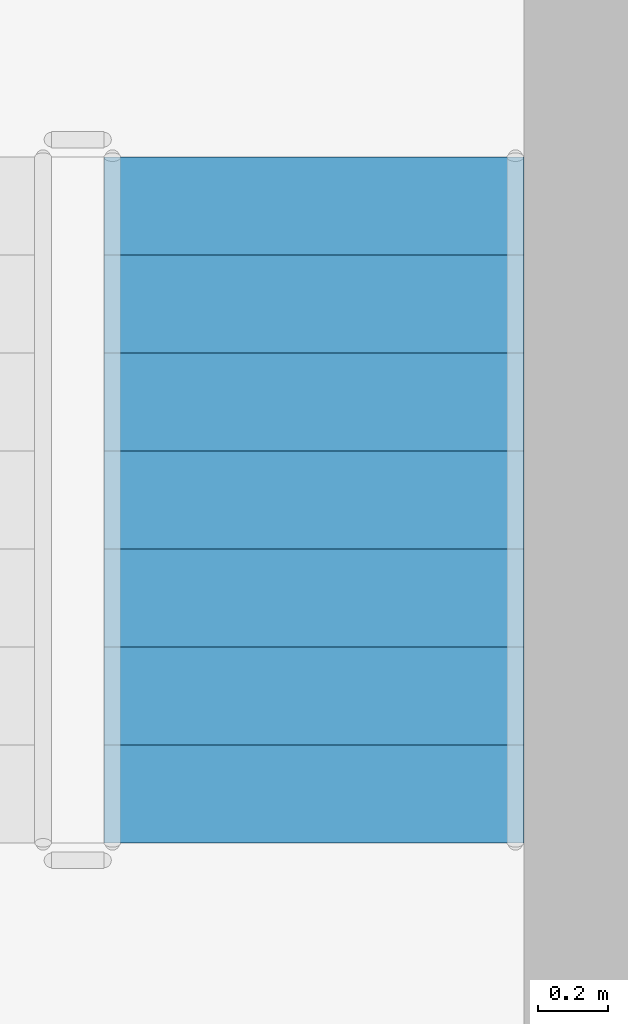
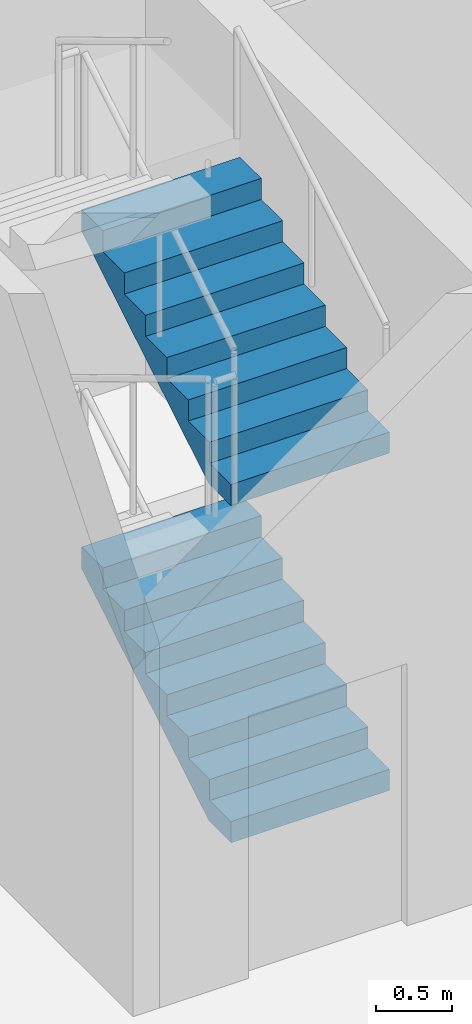
# One storey, part 70 of 101: 2 stair flights, 1 element without a shape of its own.
"""IFC4 building model written with IfcOpenShell, lengths in metres."""

from ifc_helpers import new_model, si_unit, direction, frame, origin, place, context, subcontext, project, spatial, triangles, material, type_object, element, aggregate, save


model = new_model("IFC4")

# Units and contexts
model_context = context("Model", 3, precision=1e-05, world=origin(), true_north=direction((0.0, 1.0)))
body_context = subcontext(model_context, "Body", "Model", "MODEL_VIEW")
ifc_project = project(units=[si_unit("LENGTHUNIT", "METRE"), si_unit("AREAUNIT", "SQUARE_METRE"), si_unit("VOLUMEUNIT", "CUBIC_METRE"), si_unit("PLANEANGLEUNIT", "RADIAN"), si_unit("MASSUNIT", "GRAM", prefix="KILO")], contexts=[model_context])

# Site, building, storey
site_placement = place(None, origin())
site = spatial("IfcSite", under=ifc_project, at=site_placement, CompositionType="ELEMENT")
building_placement = place(site_placement, origin())
building = spatial("IfcBuilding", under=site, at=building_placement, Name="Magnolia Steps Interchange", CompositionType="ELEMENT")
storey_placement = place(building_placement, frame((0.0, 0.0, -5.39990234375)))
storey = spatial("IfcBuildingStorey", under=building, at=storey_placement, Name="B1", CompositionType="ELEMENT", Elevation=-5.39990234375)

# Stair, stair flights
ifc_material_1 = material(Name="Concrete C40", Category="concrete")
stair_type = type_object("IfcStairType", Name="Exit stair 1200", PredefinedType="HALF_TURN_STAIR", material=ifc_material_1)
stair_placement = place(storey_placement, origin())
stair = element("IfcStair", 1, at=stair_placement, inside=storey, type_object=stair_type, Name="B1 Stair 24", PredefinedType="HALF_TURN_STAIR")
ifc_material_2 = material(Name="Concrete C40", Category="concrete")
stair_flight_type = type_object("IfcStairFlightType", Name="Exit stair flight", PredefinedType="STRAIGHT", material=ifc_material_2)
stair_flight_1_placement = place(storey_placement, frame((181.699951171875, 38.699951171875, 0.0), z_axis=(0.0, 0.0, 1.0), x_axis=(0.0, 1.0, 0.0)))
stair_flight_1 = element("IfcStairFlight", 2, at=stair_flight_1_placement, type_object=stair_flight_type, Name="Stair 24 flight 1", NumberOfRisers=8, NumberOfTreads=7, PredefinedType="STRAIGHT", RiserHeight=0.16875, TreadLength=0.28, context=body_context, shape_type="Tessellation", body=[
    triangles([(0.0, -0.5999755859375, 0.0), (0.29052734375, -0.5999755859375, 0.0), (1.9599609375, -0.5999755859375, 1.00634765625), (1.9599609375, -0.5999755859375, 1.18115234375), (1.679931640625, -0.5999755859375, 1.18115234375), (1.679931640625, -0.5999755859375, 1.012451171875), (1.39990234375, -0.5999755859375, 1.012451171875), (1.39990234375, -0.5999755859375, 0.84375), (1.1201171875, -0.5999755859375, 0.84375), (1.1201171875, -0.5999755859375, 0.675048828125), (0.840087890625, -0.5999755859375, 0.675048828125), (0.840087890625, -0.5999755859375, 0.50634765625), (0.56005859375, -0.5999755859375, 0.50634765625), (0.56005859375, -0.5999755859375, 0.33740234375), (0.280029296875, -0.5999755859375, 0.33740234375), (0.280029296875, -0.5999755859375, 0.168701171875), (0.0, -0.5999755859375, 0.168701171875), (0.0, 0.5999755859375, 0.0), (0.29052734375, 0.5999755859375, 0.0), (1.9599609375, 0.5999755859375, 1.00634765625), (1.9599609375, 0.5999755859375, 1.18115234375), (1.679931640625, 0.5999755859375, 1.18115234375), (1.679931640625, 0.5999755859375, 1.012451171875), (1.39990234375, 0.5999755859375, 1.012451171875), (1.39990234375, 0.5999755859375, 0.84375), (1.1201171875, 0.5999755859375, 0.84375), (1.1201171875, 0.5999755859375, 0.675048828125), (0.840087890625, 0.5999755859375, 0.675048828125), (0.840087890625, 0.5999755859375, 0.50634765625), (0.56005859375, 0.5999755859375, 0.50634765625), (0.56005859375, 0.5999755859375, 0.33740234375), (0.280029296875, 0.5999755859375, 0.33740234375), (0.280029296875, 0.5999755859375, 0.168701171875), (0.0, 0.5999755859375, 0.168701171875), (0.0, 0.0, 0.0), (0.0, 0.0, 0.04217529296875), (0.0, 0.0, 0.0843505859375), (0.0, 0.0, 0.12652587890625), (0.0, 0.0, 0.168701171875), (0.0, -0.05, 0.0), (0.0, -0.05, 0.168701171875), (0.0, 0.05, 0.0), (0.0, 0.05, 0.168701171875), (0.046671549479166664, 0.0, 0.168701171875), (0.09334309895833333, 0.0, 0.168701171875), (0.1400146484375, 0.0, 0.168701171875), (0.18668619791666666, 0.0, 0.168701171875), (0.23335774739583334, 0.0, 0.168701171875), (0.280029296875, 0.0, 0.168701171875), (0.280029296875, -0.05, 0.168701171875), (0.280029296875, 0.05, 0.168701171875), (0.280029296875, 0.0, 0.21087646484375), (0.280029296875, 0.0, 0.2530517578125), (0.280029296875, 0.0, 0.29522705078125), (0.280029296875, 0.0, 0.33740234375), (0.280029296875, -0.05, 0.33740234375), (0.280029296875, 0.05, 0.33740234375), (0.3267008463541667, 0.0, 0.33740234375), (0.3733723958333333, 0.0, 0.33740234375), (0.4200439453125, 0.0, 0.33740234375), (0.46671549479166663, 0.0, 0.33740234375), (0.5133870442708334, 0.0, 0.33740234375), (0.56005859375, 0.0, 0.33740234375), (0.56005859375, -0.05, 0.33740234375), (0.56005859375, 0.05, 0.33740234375), (0.56005859375, 0.0, 0.379638671875), (0.56005859375, 0.0, 0.421875), (0.56005859375, 0.0, 0.464111328125), (0.56005859375, 0.0, 0.50634765625), (0.56005859375, -0.05, 0.50634765625), (0.56005859375, 0.05, 0.50634765625), (0.6067301432291666, 0.0, 0.50634765625), (0.6534016927083334, 0.0, 0.50634765625), (0.7000732421875, 0.0, 0.50634765625), (0.7467447916666666, 0.0, 0.50634765625), (0.7934163411458334, 0.0, 0.50634765625), (0.840087890625, 0.0, 0.50634765625), (0.840087890625, -0.05, 0.50634765625), (0.840087890625, 0.05, 0.50634765625), (0.840087890625, 0.0, 0.54852294921875), (0.840087890625, 0.0, 0.5906982421875), (0.840087890625, 0.0, 0.63287353515625), (0.840087890625, 0.0, 0.675048828125), (0.840087890625, -0.05, 0.675048828125), (0.840087890625, 0.05, 0.675048828125), (0.8867594401041666, 0.0, 0.675048828125), (0.9334309895833334, 0.0, 0.675048828125), (0.9801025390625, 0.0, 0.675048828125), (1.0267740885416667, 0.0, 0.675048828125), (1.0734456380208333, 0.0, 0.675048828125), (1.1201171875, 0.0, 0.675048828125), (1.1201171875, -0.05, 0.675048828125), (1.1201171875, 0.05, 0.675048828125), (1.1201171875, 0.0, 0.71722412109375), (1.1201171875, 0.0, 0.7593994140625), (1.1201171875, 0.0, 0.80157470703125), (1.1201171875, 0.0, 0.84375), (1.1201171875, -0.05, 0.84375), (1.1201171875, 0.05, 0.84375), (1.1900634765625, 0.0, 0.84375), (1.260009765625, 0.0, 0.84375), (1.3299560546875, 0.0, 0.84375), (1.39990234375, 0.0, 0.84375), (1.39990234375, -0.05, 0.84375), (1.39990234375, 0.05, 0.84375), (1.39990234375, 0.0, 0.88592529296875), (1.39990234375, 0.0, 0.9281005859375), (1.39990234375, 0.0, 0.97027587890625), (1.39990234375, 0.0, 1.012451171875), (1.39990234375, -0.05, 1.012451171875), (1.39990234375, 0.05, 1.012451171875), (1.4465738932291667, 0.0, 1.012451171875), (1.4932454427083333, 0.0, 1.012451171875), (1.5399169921875, 0.0, 1.012451171875), (1.5865885416666667, 0.0, 1.012451171875), (1.6332600911458333, 0.0, 1.012451171875), (1.679931640625, 0.0, 1.012451171875), (1.679931640625, -0.05, 1.012451171875), (1.679931640625, 0.05, 1.012451171875), (1.679931640625, 0.0, 1.05462646484375), (1.679931640625, 0.0, 1.0968017578125), (1.679931640625, 0.0, 1.13897705078125), (1.679931640625, 0.0, 1.18115234375), (1.679931640625, -0.05, 1.18115234375), (1.679931640625, 0.05, 1.18115234375), (1.7266031901041667, 0.0, 1.18115234375), (1.7732747395833333, 0.0, 1.18115234375), (1.8199462890625, 0.0, 1.18115234375), (1.8666178385416667, 0.0, 1.18115234375), (1.9132893880208333, 0.0, 1.18115234375), (1.9599609375, 0.0, 1.18115234375), (1.9599609375, -0.05, 1.18115234375), (1.9599609375, 0.05, 1.18115234375), (1.9599609375, 0.0, 1.137451171875), (1.9599609375, 0.0, 1.09375), (1.9599609375, 0.0, 1.050048828125), (1.9599609375, 0.0, 1.00634765625), (1.9599609375, -0.05, 1.00634765625), (1.9599609375, 0.05, 1.00634765625), (1.9003383091517858, 0.0, 0.9704066685267857), (1.8407156808035714, 0.0, 0.9344656808035714), (1.7810930524553572, 0.0, 0.8985246930803571), (1.7214704241071428, 0.0, 0.8625837053571428), (1.6618477957589286, 0.0, 0.8266427176339286), (1.6022251674107144, 0.0, 0.7907017299107143), (1.5426025390625, 0.0, 0.7547607421875), (1.4829799107142856, 0.0, 0.7188197544642857), (1.4233572823660714, 0.0, 0.6828787667410714), (1.3637346540178572, 0.0, 0.6469377790178572), (1.3041120256696428, 0.0, 0.6109967912946428), (1.2444893973214286, 0.0, 0.5750558035714286), (1.1848667689732144, 0.0, 0.5391148158482143), (1.125244140625, 0.0, 0.503173828125), (1.0656215122767856, 0.0, 0.4672328404017857), (1.0059988839285714, 0.0, 0.4312918526785714), (0.9463762555803572, 0.0, 0.3953508649553571), (0.8867536272321428, 0.0, 0.3594098772321429), (0.8271309988839286, 0.0, 0.3234688895089286), (0.7675083705357142, 0.0, 0.2875279017857143), (0.7078857421875, 0.0, 0.2515869140625), (0.6482631138392858, 0.0, 0.2156459263392857), (0.5886404854910714, 0.0, 0.1797049386160714), (0.5290178571428572, 0.0, 0.1437639508928571), (0.4693952287946428, 0.0, 0.1078229631696429), (0.4097726004464286, 0.0, 0.0718819754464286), (0.3501499720982142, 0.0, 0.0359409877232143), (0.29052734375, 0.0, 0.0), (0.29052734375, -0.05, 0.0), (0.29052734375, 0.05, 0.0), (0.24210611979166666, 0.0, 0.0), (0.19368489583333331, 0.0, 0.0), (0.145263671875, 0.0, 0.0), (0.09684244791666666, 0.0, 0.0), (0.04842122395833334, 0.0, 0.0)], [[1, 2, 3], [3, 4, 5], [3, 5, 6], [3, 6, 7], [3, 7, 8], [8, 9, 10], [3, 8, 10], [10, 11, 12], [3, 10, 12], [12, 13, 14], [3, 12, 14], [14, 15, 16], [3, 14, 16], [1, 3, 16], [16, 17, 1], [18, 20, 19], [20, 22, 21], [20, 23, 22], [20, 24, 23], [20, 25, 24], [25, 27, 26], [20, 27, 25], [27, 29, 28], [20, 29, 27], [29, 31, 30], [20, 31, 29], [31, 33, 32], [20, 33, 31], [18, 33, 20], [33, 18, 34], [1, 17, 41], [1, 41, 40], [40, 36, 35], [40, 37, 36], [40, 41, 37], [41, 38, 37], [41, 39, 38], [18, 43, 34], [18, 42, 43], [42, 35, 36], [42, 36, 37], [42, 37, 43], [43, 37, 38], [43, 38, 39], [17, 16, 50], [17, 50, 41], [41, 44, 39], [41, 45, 44], [41, 46, 45], [41, 50, 46], [50, 47, 46], [50, 48, 47], [50, 49, 48], [34, 51, 33], [34, 43, 51], [43, 39, 44], [43, 44, 45], [43, 45, 46], [43, 46, 51], [51, 46, 47], [51, 47, 48], [51, 48, 49], [16, 15, 56], [16, 56, 50], [50, 52, 49], [50, 53, 52], [50, 56, 53], [56, 54, 53], [56, 55, 54], [33, 57, 32], [33, 51, 57], [51, 49, 52], [51, 52, 53], [51, 53, 57], [57, 53, 54], [57, 54, 55], [15, 14, 64], [15, 64, 56], [56, 58, 55], [56, 59, 58], [56, 60, 59], [56, 64, 60], [64, 61, 60], [64, 62, 61], [64, 63, 62], [32, 65, 31], [32, 57, 65], [57, 55, 58], [57, 58, 59], [57, 59, 60], [57, 60, 65], [65, 60, 61], [65, 61, 62], [65, 62, 63], [14, 13, 70], [14, 70, 64], [64, 66, 63], [64, 67, 66], [64, 70, 67], [70, 68, 67], [70, 69, 68], [31, 71, 30], [31, 65, 71], [65, 63, 66], [65, 66, 67], [65, 67, 71], [71, 67, 68], [71, 68, 69], [13, 12, 78], [13, 78, 70], [70, 72, 69], [70, 73, 72], [70, 74, 73], [70, 78, 74], [78, 75, 74], [78, 76, 75], [78, 77, 76], [30, 79, 29], [30, 71, 79], [71, 69, 72], [71, 72, 73], [71, 73, 74], [71, 74, 79], [79, 74, 75], [79, 75, 76], [79, 76, 77], [12, 11, 84], [12, 84, 78], [78, 80, 77], [78, 81, 80], [78, 84, 81], [84, 82, 81], [84, 83, 82], [29, 85, 28], [29, 79, 85], [79, 77, 80], [79, 80, 81], [79, 81, 85], [85, 81, 82], [85, 82, 83], [11, 10, 92], [11, 92, 84], [84, 86, 83], [84, 87, 86], [84, 88, 87], [84, 92, 88], [92, 89, 88], [92, 90, 89], [92, 91, 90], [28, 93, 27], [28, 85, 93], [85, 83, 86], [85, 86, 87], [85, 87, 88], [85, 88, 93], [93, 88, 89], [93, 89, 90], [93, 90, 91], [10, 9, 98], [10, 98, 92], [92, 94, 91], [92, 95, 94], [92, 98, 95], [98, 96, 95], [98, 97, 96], [27, 99, 26], [27, 93, 99], [93, 91, 94], [93, 94, 95], [93, 95, 99], [99, 95, 96], [99, 96, 97], [9, 8, 104], [9, 104, 98], [98, 100, 97], [98, 101, 100], [98, 104, 101], [104, 102, 101], [104, 103, 102], [26, 105, 25], [26, 99, 105], [99, 97, 100], [99, 100, 101], [99, 101, 105], [105, 101, 102], [105, 102, 103], [8, 7, 110], [8, 110, 104], [104, 106, 103], [104, 107, 106], [104, 110, 107], [110, 108, 107], [110, 109, 108], [25, 111, 24], [25, 105, 111], [105, 103, 106], [105, 106, 107], [105, 107, 111], [111, 107, 108], [111, 108, 109], [7, 6, 118], [7, 118, 110], [110, 112, 109], [110, 113, 112], [110, 114, 113], [110, 118, 114], [118, 115, 114], [118, 116, 115], [118, 117, 116], [24, 119, 23], [24, 111, 119], [111, 109, 112], [111, 112, 113], [111, 113, 114], [111, 114, 119], [119, 114, 115], [119, 115, 116], [119, 116, 117], [6, 5, 124], [6, 124, 118], [118, 120, 117], [118, 121, 120], [118, 124, 121], [124, 122, 121], [124, 123, 122], [23, 125, 22], [23, 119, 125], [119, 117, 120], [119, 120, 121], [119, 121, 125], [125, 121, 122], [125, 122, 123], [5, 4, 132], [5, 132, 124], [124, 126, 123], [124, 127, 126], [124, 128, 127], [124, 132, 128], [132, 129, 128], [132, 130, 129], [132, 131, 130], [22, 133, 21], [22, 125, 133], [125, 123, 126], [125, 126, 127], [125, 127, 128], [125, 128, 133], [133, 128, 129], [133, 129, 130], [133, 130, 131], [4, 3, 138], [4, 138, 132], [132, 134, 131], [132, 135, 134], [132, 138, 135], [138, 136, 135], [138, 137, 136], [21, 139, 20], [21, 133, 139], [133, 131, 134], [133, 134, 135], [133, 135, 139], [139, 135, 136], [139, 136, 137], [3, 2, 168], [3, 168, 138], [138, 140, 137], [138, 141, 140], [138, 142, 141], [138, 143, 142], [138, 144, 143], [138, 145, 144], [138, 146, 145], [138, 147, 146], [138, 148, 147], [138, 149, 148], [138, 150, 149], [138, 151, 150], [138, 152, 151], [138, 153, 152], [138, 168, 153], [168, 154, 153], [168, 155, 154], [168, 156, 155], [168, 157, 156], [168, 158, 157], [168, 159, 158], [168, 160, 159], [168, 161, 160], [168, 162, 161], [168, 163, 162], [168, 164, 163], [168, 165, 164], [168, 166, 165], [168, 167, 166], [20, 169, 19], [20, 139, 169], [139, 137, 140], [139, 140, 141], [139, 141, 142], [139, 142, 143], [139, 143, 144], [139, 144, 145], [139, 145, 146], [139, 146, 147], [139, 147, 148], [139, 148, 149], [139, 149, 150], [139, 150, 151], [139, 151, 152], [139, 152, 153], [139, 153, 169], [169, 153, 154], [169, 154, 155], [169, 155, 156], [169, 156, 157], [169, 157, 158], [169, 158, 159], [169, 159, 160], [169, 160, 161], [169, 161, 162], [169, 162, 163], [169, 163, 164], [169, 164, 165], [169, 165, 166], [169, 166, 167], [2, 1, 40], [2, 40, 168], [168, 170, 167], [168, 171, 170], [168, 172, 171], [168, 40, 172], [40, 173, 172], [40, 174, 173], [40, 35, 174], [19, 42, 18], [19, 169, 42], [169, 167, 170], [169, 170, 171], [169, 171, 172], [169, 172, 42], [42, 172, 173], [42, 173, 174], [42, 174, 35]], closed=True),
])
stair_flight_2_placement = place(storey_placement, frame((181.699951171875, 38.699951171875, 2.699951171875), z_axis=(0.0, 0.0, 1.0), x_axis=(0.0, 1.0, 0.0)))
stair_flight_2 = element("IfcStairFlight", 3, at=stair_flight_2_placement, type_object=stair_flight_type, Name="Stair 24 flight 3", NumberOfRisers=8, NumberOfTreads=7, PredefinedType="STRAIGHT", RiserHeight=0.16875, TreadLength=0.28, context=body_context, shape_type="Tessellation", body=[
    triangles([(0.0, -0.5999755859375, 0.0), (0.29052734375, -0.5999755859375, 0.0), (1.9599609375, -0.5999755859375, 1.00634765625), (1.9599609375, -0.5999755859375, 1.18115234375), (1.679931640625, -0.5999755859375, 1.18115234375), (1.679931640625, -0.5999755859375, 1.012451171875), (1.39990234375, -0.5999755859375, 1.012451171875), (1.39990234375, -0.5999755859375, 0.84375), (1.1201171875, -0.5999755859375, 0.84375), (1.1201171875, -0.5999755859375, 0.675048828125), (0.840087890625, -0.5999755859375, 0.675048828125), (0.840087890625, -0.5999755859375, 0.50634765625), (0.56005859375, -0.5999755859375, 0.50634765625), (0.56005859375, -0.5999755859375, 0.33740234375), (0.280029296875, -0.5999755859375, 0.33740234375), (0.280029296875, -0.5999755859375, 0.168701171875), (0.0, -0.5999755859375, 0.168701171875), (0.0, 0.5999755859375, 0.0), (0.29052734375, 0.5999755859375, 0.0), (1.9599609375, 0.5999755859375, 1.00634765625), (1.9599609375, 0.5999755859375, 1.18115234375), (1.679931640625, 0.5999755859375, 1.18115234375), (1.679931640625, 0.5999755859375, 1.012451171875), (1.39990234375, 0.5999755859375, 1.012451171875), (1.39990234375, 0.5999755859375, 0.84375), (1.1201171875, 0.5999755859375, 0.84375), (1.1201171875, 0.5999755859375, 0.675048828125), (0.840087890625, 0.5999755859375, 0.675048828125), (0.840087890625, 0.5999755859375, 0.50634765625), (0.56005859375, 0.5999755859375, 0.50634765625), (0.56005859375, 0.5999755859375, 0.33740234375), (0.280029296875, 0.5999755859375, 0.33740234375), (0.280029296875, 0.5999755859375, 0.168701171875), (0.0, 0.5999755859375, 0.168701171875), (0.0, 0.0, 0.0), (0.0, 0.0, 0.04217529296875), (0.0, 0.0, 0.0843505859375), (0.0, 0.0, 0.12652587890625), (0.0, 0.0, 0.168701171875), (0.0, -0.05, 0.0), (0.0, -0.05, 0.168701171875), (0.0, 0.05, 0.0), (0.0, 0.05, 0.168701171875), (0.046671549479166664, 0.0, 0.168701171875), (0.09334309895833333, 0.0, 0.168701171875), (0.1400146484375, 0.0, 0.168701171875), (0.18668619791666666, 0.0, 0.168701171875), (0.23335774739583334, 0.0, 0.168701171875), (0.280029296875, 0.0, 0.168701171875), (0.280029296875, -0.05, 0.168701171875), (0.280029296875, 0.05, 0.168701171875), (0.280029296875, 0.0, 0.21087646484375), (0.280029296875, 0.0, 0.2530517578125), (0.280029296875, 0.0, 0.29522705078125), (0.280029296875, 0.0, 0.33740234375), (0.280029296875, -0.05, 0.33740234375), (0.280029296875, 0.05, 0.33740234375), (0.3267008463541667, 0.0, 0.33740234375), (0.3733723958333333, 0.0, 0.33740234375), (0.4200439453125, 0.0, 0.33740234375), (0.46671549479166663, 0.0, 0.33740234375), (0.5133870442708334, 0.0, 0.33740234375), (0.56005859375, 0.0, 0.33740234375), (0.56005859375, -0.05, 0.33740234375), (0.56005859375, 0.05, 0.33740234375), (0.56005859375, 0.0, 0.379638671875), (0.56005859375, 0.0, 0.421875), (0.56005859375, 0.0, 0.464111328125), (0.56005859375, 0.0, 0.50634765625), (0.56005859375, -0.05, 0.50634765625), (0.56005859375, 0.05, 0.50634765625), (0.6067301432291666, 0.0, 0.50634765625), (0.6534016927083334, 0.0, 0.50634765625), (0.7000732421875, 0.0, 0.50634765625), (0.7467447916666666, 0.0, 0.50634765625), (0.7934163411458334, 0.0, 0.50634765625), (0.840087890625, 0.0, 0.50634765625), (0.840087890625, -0.05, 0.50634765625), (0.840087890625, 0.05, 0.50634765625), (0.840087890625, 0.0, 0.54852294921875), (0.840087890625, 0.0, 0.5906982421875), (0.840087890625, 0.0, 0.63287353515625), (0.840087890625, 0.0, 0.675048828125), (0.840087890625, -0.05, 0.675048828125), (0.840087890625, 0.05, 0.675048828125), (0.8867594401041666, 0.0, 0.675048828125), (0.9334309895833334, 0.0, 0.675048828125), (0.9801025390625, 0.0, 0.675048828125), (1.0267740885416667, 0.0, 0.675048828125), (1.0734456380208333, 0.0, 0.675048828125), (1.1201171875, 0.0, 0.675048828125), (1.1201171875, -0.05, 0.675048828125), (1.1201171875, 0.05, 0.675048828125), (1.1201171875, 0.0, 0.71722412109375), (1.1201171875, 0.0, 0.7593994140625), (1.1201171875, 0.0, 0.80157470703125), (1.1201171875, 0.0, 0.84375), (1.1201171875, -0.05, 0.84375), (1.1201171875, 0.05, 0.84375), (1.1900634765625, 0.0, 0.84375), (1.260009765625, 0.0, 0.84375), (1.3299560546875, 0.0, 0.84375), (1.39990234375, 0.0, 0.84375), (1.39990234375, -0.05, 0.84375), (1.39990234375, 0.05, 0.84375), (1.39990234375, 0.0, 0.88592529296875), (1.39990234375, 0.0, 0.9281005859375), (1.39990234375, 0.0, 0.97027587890625), (1.39990234375, 0.0, 1.012451171875), (1.39990234375, -0.05, 1.012451171875), (1.39990234375, 0.05, 1.012451171875), (1.4465738932291667, 0.0, 1.012451171875), (1.4932454427083333, 0.0, 1.012451171875), (1.5399169921875, 0.0, 1.012451171875), (1.5865885416666667, 0.0, 1.012451171875), (1.6332600911458333, 0.0, 1.012451171875), (1.679931640625, 0.0, 1.012451171875), (1.679931640625, -0.05, 1.012451171875), (1.679931640625, 0.05, 1.012451171875), (1.679931640625, 0.0, 1.05462646484375), (1.679931640625, 0.0, 1.0968017578125), (1.679931640625, 0.0, 1.13897705078125), (1.679931640625, 0.0, 1.18115234375), (1.679931640625, -0.05, 1.18115234375), (1.679931640625, 0.05, 1.18115234375), (1.7266031901041667, 0.0, 1.18115234375), (1.7732747395833333, 0.0, 1.18115234375), (1.8199462890625, 0.0, 1.18115234375), (1.8666178385416667, 0.0, 1.18115234375), (1.9132893880208333, 0.0, 1.18115234375), (1.9599609375, 0.0, 1.18115234375), (1.9599609375, -0.05, 1.18115234375), (1.9599609375, 0.05, 1.18115234375), (1.9599609375, 0.0, 1.137451171875), (1.9599609375, 0.0, 1.09375), (1.9599609375, 0.0, 1.050048828125), (1.9599609375, 0.0, 1.00634765625), (1.9599609375, -0.05, 1.00634765625), (1.9599609375, 0.05, 1.00634765625), (1.9003383091517858, 0.0, 0.9704066685267857), (1.8407156808035714, 0.0, 0.9344656808035714), (1.7810930524553572, 0.0, 0.8985246930803571), (1.7214704241071428, 0.0, 0.8625837053571428), (1.6618477957589286, 0.0, 0.8266427176339286), (1.6022251674107144, 0.0, 0.7907017299107143), (1.5426025390625, 0.0, 0.7547607421875), (1.4829799107142856, 0.0, 0.7188197544642857), (1.4233572823660714, 0.0, 0.6828787667410714), (1.3637346540178572, 0.0, 0.6469377790178572), (1.3041120256696428, 0.0, 0.6109967912946428), (1.2444893973214286, 0.0, 0.5750558035714286), (1.1848667689732144, 0.0, 0.5391148158482143), (1.125244140625, 0.0, 0.503173828125), (1.0656215122767856, 0.0, 0.4672328404017857), (1.0059988839285714, 0.0, 0.4312918526785714), (0.9463762555803572, 0.0, 0.3953508649553571), (0.8867536272321428, 0.0, 0.3594098772321429), (0.8271309988839286, 0.0, 0.3234688895089286), (0.7675083705357142, 0.0, 0.2875279017857143), (0.7078857421875, 0.0, 0.2515869140625), (0.6482631138392858, 0.0, 0.2156459263392857), (0.5886404854910714, 0.0, 0.1797049386160714), (0.5290178571428572, 0.0, 0.1437639508928571), (0.4693952287946428, 0.0, 0.1078229631696429), (0.4097726004464286, 0.0, 0.0718819754464286), (0.3501499720982142, 0.0, 0.0359409877232143), (0.29052734375, 0.0, 0.0), (0.29052734375, -0.05, 0.0), (0.29052734375, 0.05, 0.0), (0.24210611979166666, 0.0, 0.0), (0.19368489583333331, 0.0, 0.0), (0.145263671875, 0.0, 0.0), (0.09684244791666666, 0.0, 0.0), (0.04842122395833334, 0.0, 0.0)], [[1, 2, 3], [3, 4, 5], [3, 5, 6], [3, 6, 7], [3, 7, 8], [8, 9, 10], [3, 8, 10], [10, 11, 12], [3, 10, 12], [12, 13, 14], [3, 12, 14], [14, 15, 16], [3, 14, 16], [1, 3, 16], [16, 17, 1], [18, 20, 19], [20, 22, 21], [20, 23, 22], [20, 24, 23], [20, 25, 24], [25, 27, 26], [20, 27, 25], [27, 29, 28], [20, 29, 27], [29, 31, 30], [20, 31, 29], [31, 33, 32], [20, 33, 31], [18, 33, 20], [33, 18, 34], [1, 17, 41], [1, 41, 40], [40, 36, 35], [40, 37, 36], [40, 41, 37], [41, 38, 37], [41, 39, 38], [18, 43, 34], [18, 42, 43], [42, 35, 36], [42, 36, 37], [42, 37, 43], [43, 37, 38], [43, 38, 39], [17, 16, 50], [17, 50, 41], [41, 44, 39], [41, 45, 44], [41, 46, 45], [41, 50, 46], [50, 47, 46], [50, 48, 47], [50, 49, 48], [34, 51, 33], [34, 43, 51], [43, 39, 44], [43, 44, 45], [43, 45, 46], [43, 46, 51], [51, 46, 47], [51, 47, 48], [51, 48, 49], [16, 15, 56], [16, 56, 50], [50, 52, 49], [50, 53, 52], [50, 56, 53], [56, 54, 53], [56, 55, 54], [33, 57, 32], [33, 51, 57], [51, 49, 52], [51, 52, 53], [51, 53, 57], [57, 53, 54], [57, 54, 55], [15, 14, 64], [15, 64, 56], [56, 58, 55], [56, 59, 58], [56, 60, 59], [56, 64, 60], [64, 61, 60], [64, 62, 61], [64, 63, 62], [32, 65, 31], [32, 57, 65], [57, 55, 58], [57, 58, 59], [57, 59, 60], [57, 60, 65], [65, 60, 61], [65, 61, 62], [65, 62, 63], [14, 13, 70], [14, 70, 64], [64, 66, 63], [64, 67, 66], [64, 70, 67], [70, 68, 67], [70, 69, 68], [31, 71, 30], [31, 65, 71], [65, 63, 66], [65, 66, 67], [65, 67, 71], [71, 67, 68], [71, 68, 69], [13, 12, 78], [13, 78, 70], [70, 72, 69], [70, 73, 72], [70, 74, 73], [70, 78, 74], [78, 75, 74], [78, 76, 75], [78, 77, 76], [30, 79, 29], [30, 71, 79], [71, 69, 72], [71, 72, 73], [71, 73, 74], [71, 74, 79], [79, 74, 75], [79, 75, 76], [79, 76, 77], [12, 11, 84], [12, 84, 78], [78, 80, 77], [78, 81, 80], [78, 84, 81], [84, 82, 81], [84, 83, 82], [29, 85, 28], [29, 79, 85], [79, 77, 80], [79, 80, 81], [79, 81, 85], [85, 81, 82], [85, 82, 83], [11, 10, 92], [11, 92, 84], [84, 86, 83], [84, 87, 86], [84, 88, 87], [84, 92, 88], [92, 89, 88], [92, 90, 89], [92, 91, 90], [28, 93, 27], [28, 85, 93], [85, 83, 86], [85, 86, 87], [85, 87, 88], [85, 88, 93], [93, 88, 89], [93, 89, 90], [93, 90, 91], [10, 9, 98], [10, 98, 92], [92, 94, 91], [92, 95, 94], [92, 98, 95], [98, 96, 95], [98, 97, 96], [27, 99, 26], [27, 93, 99], [93, 91, 94], [93, 94, 95], [93, 95, 99], [99, 95, 96], [99, 96, 97], [9, 8, 104], [9, 104, 98], [98, 100, 97], [98, 101, 100], [98, 104, 101], [104, 102, 101], [104, 103, 102], [26, 105, 25], [26, 99, 105], [99, 97, 100], [99, 100, 101], [99, 101, 105], [105, 101, 102], [105, 102, 103], [8, 7, 110], [8, 110, 104], [104, 106, 103], [104, 107, 106], [104, 110, 107], [110, 108, 107], [110, 109, 108], [25, 111, 24], [25, 105, 111], [105, 103, 106], [105, 106, 107], [105, 107, 111], [111, 107, 108], [111, 108, 109], [7, 6, 118], [7, 118, 110], [110, 112, 109], [110, 113, 112], [110, 114, 113], [110, 118, 114], [118, 115, 114], [118, 116, 115], [118, 117, 116], [24, 119, 23], [24, 111, 119], [111, 109, 112], [111, 112, 113], [111, 113, 114], [111, 114, 119], [119, 114, 115], [119, 115, 116], [119, 116, 117], [6, 5, 124], [6, 124, 118], [118, 120, 117], [118, 121, 120], [118, 124, 121], [124, 122, 121], [124, 123, 122], [23, 125, 22], [23, 119, 125], [119, 117, 120], [119, 120, 121], [119, 121, 125], [125, 121, 122], [125, 122, 123], [5, 4, 132], [5, 132, 124], [124, 126, 123], [124, 127, 126], [124, 128, 127], [124, 132, 128], [132, 129, 128], [132, 130, 129], [132, 131, 130], [22, 133, 21], [22, 125, 133], [125, 123, 126], [125, 126, 127], [125, 127, 128], [125, 128, 133], [133, 128, 129], [133, 129, 130], [133, 130, 131], [4, 3, 138], [4, 138, 132], [132, 134, 131], [132, 135, 134], [132, 138, 135], [138, 136, 135], [138, 137, 136], [21, 139, 20], [21, 133, 139], [133, 131, 134], [133, 134, 135], [133, 135, 139], [139, 135, 136], [139, 136, 137], [3, 2, 168], [3, 168, 138], [138, 140, 137], [138, 141, 140], [138, 142, 141], [138, 143, 142], [138, 144, 143], [138, 145, 144], [138, 146, 145], [138, 147, 146], [138, 148, 147], [138, 149, 148], [138, 150, 149], [138, 151, 150], [138, 152, 151], [138, 153, 152], [138, 168, 153], [168, 154, 153], [168, 155, 154], [168, 156, 155], [168, 157, 156], [168, 158, 157], [168, 159, 158], [168, 160, 159], [168, 161, 160], [168, 162, 161], [168, 163, 162], [168, 164, 163], [168, 165, 164], [168, 166, 165], [168, 167, 166], [20, 169, 19], [20, 139, 169], [139, 137, 140], [139, 140, 141], [139, 141, 142], [139, 142, 143], [139, 143, 144], [139, 144, 145], [139, 145, 146], [139, 146, 147], [139, 147, 148], [139, 148, 149], [139, 149, 150], [139, 150, 151], [139, 151, 152], [139, 152, 153], [139, 153, 169], [169, 153, 154], [169, 154, 155], [169, 155, 156], [169, 156, 157], [169, 157, 158], [169, 158, 159], [169, 159, 160], [169, 160, 161], [169, 161, 162], [169, 162, 163], [169, 163, 164], [169, 164, 165], [169, 165, 166], [169, 166, 167], [2, 1, 40], [2, 40, 168], [168, 170, 167], [168, 171, 170], [168, 172, 171], [168, 40, 172], [40, 173, 172], [40, 174, 173], [40, 35, 174], [19, 42, 18], [19, 169, 42], [169, 167, 170], [169, 170, 171], [169, 171, 172], [169, 172, 42], [42, 172, 173], [42, 173, 174], [42, 174, 35]], closed=True),
])
aggregate(stair, [stair_flight_1, stair_flight_2])

save(model, "model.ifc")
